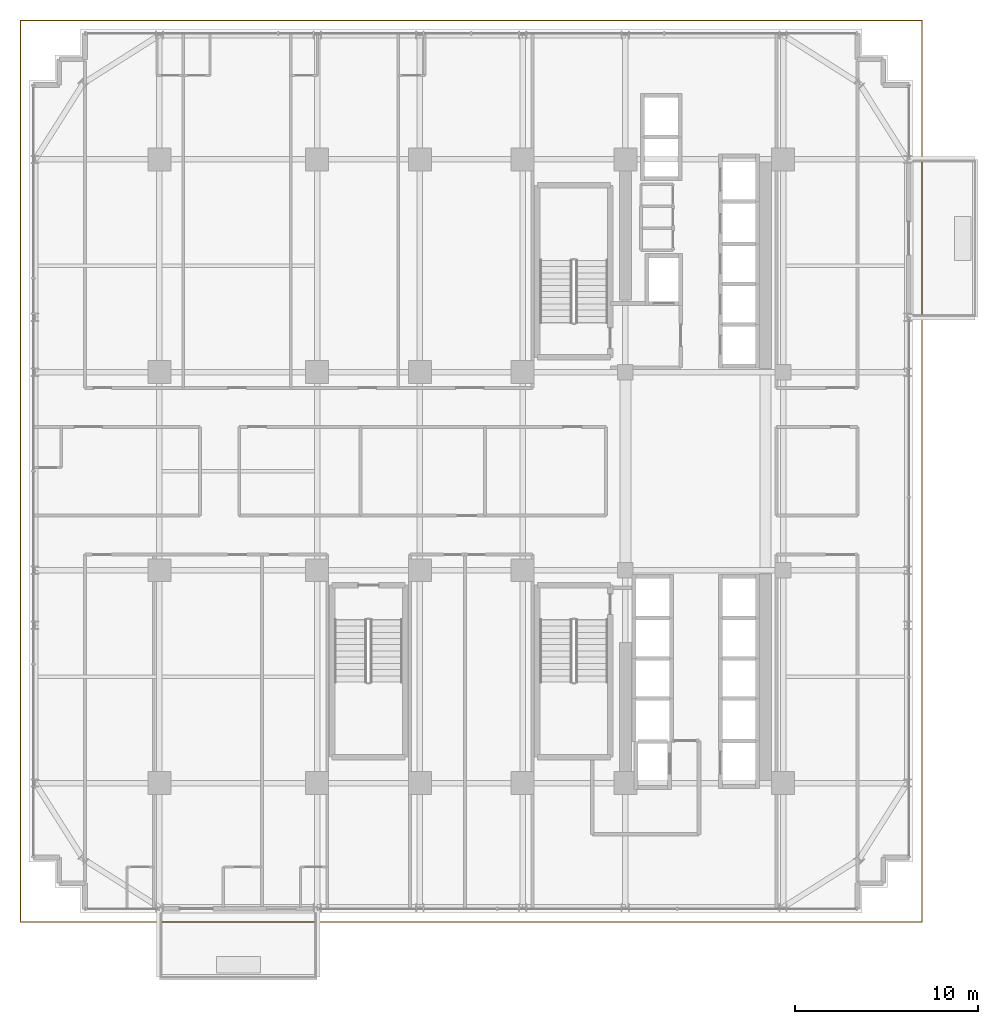
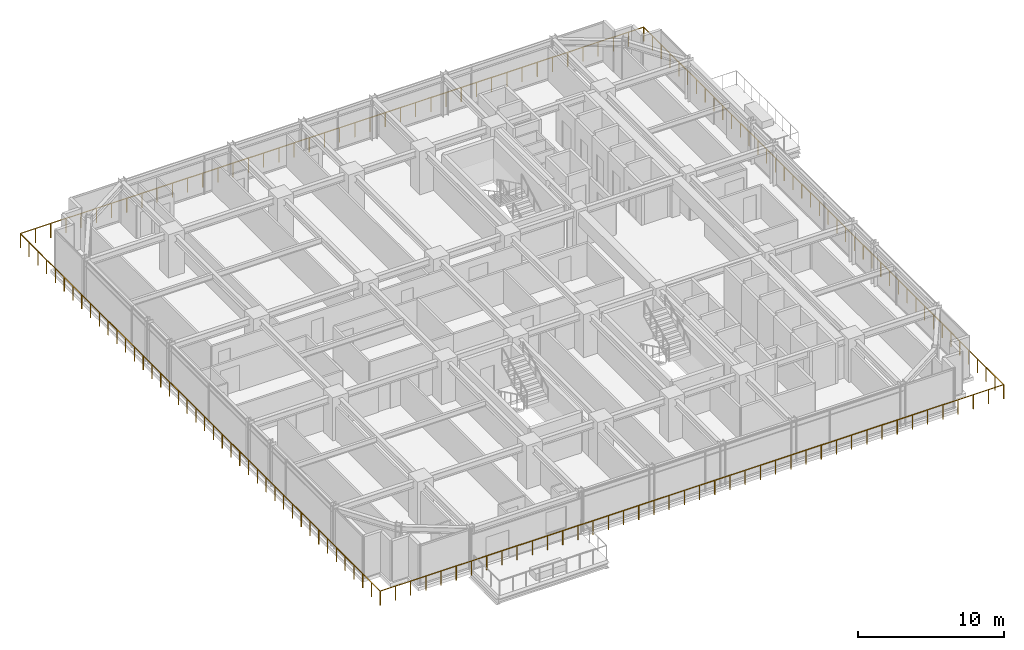
# One storey, part 32 of 34: 2 railings.
"""IFC4 building model written with IfcOpenShell, lengths in metres."""

from ifc_helpers import new_model, si_unit, direction, frame, origin, origin_2d, place, context, subcontext, project, spatial, circle, extrude, material, type_object, element, save


model = new_model("IFC4")

# Units and contexts
model_context = context("Model", 3, precision=1e-05, world=origin(), true_north=direction((0.0, 1.0)))
body_context = subcontext(model_context, "Body", "Model", "MODEL_VIEW")
ifc_project = project(units=[si_unit("LENGTHUNIT", "METRE"), si_unit("AREAUNIT", "SQUARE_METRE"), si_unit("VOLUMEUNIT", "CUBIC_METRE"), si_unit("PLANEANGLEUNIT", "RADIAN"), si_unit("MASSUNIT", "GRAM", prefix="KILO")], contexts=[model_context])

# Site, building, storey
site_placement = place(None, origin())
site = spatial("IfcSite", under=ifc_project, at=site_placement, CompositionType="ELEMENT")
building_placement = place(site_placement, origin())
building = spatial("IfcBuilding", under=site, at=building_placement, Name="Nahalor Promenade Grand Hotel", CompositionType="ELEMENT")
storey_placement = place(building_placement, frame((0.0, 0.0, 88.300048828125)))
storey = spatial("IfcBuildingStorey", under=building, at=storey_placement, Name="L21", CompositionType="ELEMENT", Elevation=88.300048828125)

# Railings
ifc_material = material(Name="Anodised Bronze Aluminium EN AW-6063 T6", Category="aluminium")
railing_type = type_object("IfcRailingType", Name="Bronze Balcony Guardrail 1200 mm", PredefinedType="GUARDRAIL", material=ifc_material)
railing_1_placement = place(storey_placement, frame((-24.580078125, 24.580078125, 0.0)))
element("IfcRailing", 1, at=railing_1_placement, inside=storey, type_object=railing_type, Name="RL-L21-SB1", PredefinedType="GUARDRAIL", context=body_context, shape_type="SweptSolid", body=[
    extrude(circle(Radius=0.024048, at=origin_2d()), frame((0.0, 0.0, 1.17578125), z_axis=(0.0, -1.0, 0.0), x_axis=(1.0, 0.0, 0.0)), (0.0, 0.0, 1.0), 49.158203125),
    extrude(circle(Radius=0.024048, at=origin_2d()), frame((0.001953125, -49.16015625, 1.17578125), z_axis=(1.0, 0.0, 0.0), x_axis=(0.0, 1.0, 0.0)), (0.0, 0.0, 1.0), 49.158203125),
    extrude(circle(Radius=0.020996, at=origin_2d()), origin(), (0.0, 0.0, 1.0), 1.14990234375),
    extrude(circle(Radius=0.020996, at=origin_2d()), frame((0.0, -1.198974609375, 0.0)), (0.0, 0.0, 1.0), 1.14990234375),
    extrude(circle(Radius=0.020996, at=origin_2d()), frame((0.0, -2.39794921875, 0.0)), (0.0, 0.0, 1.0), 1.14990234375),
    extrude(circle(Radius=0.020996, at=origin_2d()), frame((0.0, -3.59716796875, 0.0)), (0.0, 0.0, 1.0), 1.14990234375),
    extrude(circle(Radius=0.020996, at=origin_2d()), frame((0.0, -4.796142578125, 0.0)), (0.0, 0.0, 1.0), 1.14990234375),
    extrude(circle(Radius=0.020996, at=origin_2d()), frame((0.0, -5.9951171875, 0.0)), (0.0, 0.0, 1.0), 1.14990234375),
    extrude(circle(Radius=0.020996, at=origin_2d()), frame((0.0, -7.194091796875, 0.0)), (0.0, 0.0, 1.0), 1.14990234375),
    extrude(circle(Radius=0.020996, at=origin_2d()), frame((0.0, -8.393310546875, 0.0)), (0.0, 0.0, 1.0), 1.14990234375),
    extrude(circle(Radius=0.020996, at=origin_2d()), frame((0.0, -9.59228515625, 0.0)), (0.0, 0.0, 1.0), 1.14990234375),
    extrude(circle(Radius=0.020996, at=origin_2d()), frame((0.0, -10.791259765625, 0.0)), (0.0, 0.0, 1.0), 1.14990234375),
    extrude(circle(Radius=0.020996, at=origin_2d()), frame((0.0, -11.990234375, 0.0)), (0.0, 0.0, 1.0), 1.14990234375),
    extrude(circle(Radius=0.020996, at=origin_2d()), frame((0.0, -13.189208984375, 0.0)), (0.0, 0.0, 1.0), 1.14990234375),
    extrude(circle(Radius=0.020996, at=origin_2d()), frame((0.0, -14.388427734375, 0.0)), (0.0, 0.0, 1.0), 1.14990234375),
    extrude(circle(Radius=0.020996, at=origin_2d()), frame((0.0, -15.58740234375, 0.0)), (0.0, 0.0, 1.0), 1.14990234375),
    extrude(circle(Radius=0.020996, at=origin_2d()), frame((0.0, -16.786376953125, 0.0)), (0.0, 0.0, 1.0), 1.14990234375),
    extrude(circle(Radius=0.020996, at=origin_2d()), frame((0.0, -17.9853515625, 0.0)), (0.0, 0.0, 1.0), 1.14990234375),
    extrude(circle(Radius=0.020996, at=origin_2d()), frame((0.0, -19.1845703125, 0.0)), (0.0, 0.0, 1.0), 1.14990234375),
    extrude(circle(Radius=0.020996, at=origin_2d()), frame((0.0, -20.383544921875, 0.0)), (0.0, 0.0, 1.0), 1.14990234375),
    extrude(circle(Radius=0.020996, at=origin_2d()), frame((0.0, -21.58251953125, 0.0)), (0.0, 0.0, 1.0), 1.14990234375),
    extrude(circle(Radius=0.020996, at=origin_2d()), frame((0.0, -22.781494140625, 0.0)), (0.0, 0.0, 1.0), 1.14990234375),
    extrude(circle(Radius=0.020996, at=origin_2d()), frame((0.0, -23.98046875, 0.0)), (0.0, 0.0, 1.0), 1.14990234375),
    extrude(circle(Radius=0.020996, at=origin_2d()), frame((0.0, -25.1796875, 0.0)), (0.0, 0.0, 1.0), 1.14990234375),
    extrude(circle(Radius=0.020996, at=origin_2d()), frame((0.0, -26.378662109375, 0.0)), (0.0, 0.0, 1.0), 1.14990234375),
    extrude(circle(Radius=0.020996, at=origin_2d()), frame((0.0, -27.57763671875, 0.0)), (0.0, 0.0, 1.0), 1.14990234375),
    extrude(circle(Radius=0.020996, at=origin_2d()), frame((0.0, -28.776611328125, 0.0)), (0.0, 0.0, 1.0), 1.14990234375),
    extrude(circle(Radius=0.020996, at=origin_2d()), frame((0.0, -29.9755859375, 0.0)), (0.0, 0.0, 1.0), 1.14990234375),
    extrude(circle(Radius=0.020996, at=origin_2d()), frame((0.0, -31.1748046875, 0.0)), (0.0, 0.0, 1.0), 1.14990234375),
    extrude(circle(Radius=0.020996, at=origin_2d()), frame((0.0, -32.373779296875, 0.0)), (0.0, 0.0, 1.0), 1.14990234375),
    extrude(circle(Radius=0.020996, at=origin_2d()), frame((0.0, -33.57275390625, 0.0)), (0.0, 0.0, 1.0), 1.14990234375),
    extrude(circle(Radius=0.020996, at=origin_2d()), frame((0.0, -34.771728515625, 0.0)), (0.0, 0.0, 1.0), 1.14990234375),
    extrude(circle(Radius=0.020996, at=origin_2d()), frame((0.0, -35.970947265625, 0.0)), (0.0, 0.0, 1.0), 1.14990234375),
    extrude(circle(Radius=0.020996, at=origin_2d()), frame((0.0, -37.169921875, 0.0)), (0.0, 0.0, 1.0), 1.14990234375),
    extrude(circle(Radius=0.020996, at=origin_2d()), frame((0.0, -38.368896484375, 0.0)), (0.0, 0.0, 1.0), 1.14990234375),
    extrude(circle(Radius=0.020996, at=origin_2d()), frame((0.0, -39.56787109375, 0.0)), (0.0, 0.0, 1.0), 1.14990234375),
    extrude(circle(Radius=0.020996, at=origin_2d()), frame((0.0, -40.766845703125, 0.0)), (0.0, 0.0, 1.0), 1.14990234375),
    extrude(circle(Radius=0.020996, at=origin_2d()), frame((0.0, -41.966064453125, 0.0)), (0.0, 0.0, 1.0), 1.14990234375),
    extrude(circle(Radius=0.020996, at=origin_2d()), frame((0.0, -43.1650390625, 0.0)), (0.0, 0.0, 1.0), 1.14990234375),
    extrude(circle(Radius=0.020996, at=origin_2d()), frame((0.0, -44.364013671875, 0.0)), (0.0, 0.0, 1.0), 1.14990234375),
    extrude(circle(Radius=0.020996, at=origin_2d()), frame((0.0, -45.56298828125, 0.0)), (0.0, 0.0, 1.0), 1.14990234375),
    extrude(circle(Radius=0.020996, at=origin_2d()), frame((0.0, -46.76220703125, 0.0)), (0.0, 0.0, 1.0), 1.14990234375),
    extrude(circle(Radius=0.020996, at=origin_2d()), frame((0.0, -47.961181640625, 0.0)), (0.0, 0.0, 1.0), 1.14990234375),
    extrude(circle(Radius=0.020996, at=origin_2d()), frame((0.0, -49.16015625, 0.0)), (0.0, 0.0, 1.0), 1.14990234375),
    extrude(circle(Radius=0.020996, at=origin_2d()), frame((1.198974609375, -49.16015625, 0.0)), (0.0, 0.0, 1.0), 1.14990234375),
    extrude(circle(Radius=0.020996, at=origin_2d()), frame((2.39794921875, -49.16015625, 0.0)), (0.0, 0.0, 1.0), 1.14990234375),
    extrude(circle(Radius=0.020996, at=origin_2d()), frame((3.59716796875, -49.16015625, 0.0)), (0.0, 0.0, 1.0), 1.14990234375),
    extrude(circle(Radius=0.020996, at=origin_2d()), frame((4.796142578125, -49.16015625, 0.0)), (0.0, 0.0, 1.0), 1.14990234375),
    extrude(circle(Radius=0.020996, at=origin_2d()), frame((5.9951171875, -49.16015625, 0.0)), (0.0, 0.0, 1.0), 1.14990234375),
    extrude(circle(Radius=0.020996, at=origin_2d()), frame((7.194091796875, -49.16015625, 0.0)), (0.0, 0.0, 1.0), 1.14990234375),
    extrude(circle(Radius=0.020996, at=origin_2d()), frame((8.393310546875, -49.16015625, 0.0)), (0.0, 0.0, 1.0), 1.14990234375),
    extrude(circle(Radius=0.020996, at=origin_2d()), frame((9.59228515625, -49.16015625, 0.0)), (0.0, 0.0, 1.0), 1.14990234375),
    extrude(circle(Radius=0.020996, at=origin_2d()), frame((10.791259765625, -49.16015625, 0.0)), (0.0, 0.0, 1.0), 1.14990234375),
    extrude(circle(Radius=0.020996, at=origin_2d()), frame((11.990234375, -49.16015625, 0.0)), (0.0, 0.0, 1.0), 1.14990234375),
    extrude(circle(Radius=0.020996, at=origin_2d()), frame((13.189208984375, -49.16015625, 0.0)), (0.0, 0.0, 1.0), 1.14990234375),
    extrude(circle(Radius=0.020996, at=origin_2d()), frame((14.388427734375, -49.16015625, 0.0)), (0.0, 0.0, 1.0), 1.14990234375),
    extrude(circle(Radius=0.020996, at=origin_2d()), frame((15.58740234375, -49.16015625, 0.0)), (0.0, 0.0, 1.0), 1.14990234375),
    extrude(circle(Radius=0.020996, at=origin_2d()), frame((16.786376953125, -49.16015625, 0.0)), (0.0, 0.0, 1.0), 1.14990234375),
    extrude(circle(Radius=0.020996, at=origin_2d()), frame((17.9853515625, -49.16015625, 0.0)), (0.0, 0.0, 1.0), 1.14990234375),
    extrude(circle(Radius=0.020996, at=origin_2d()), frame((19.1845703125, -49.16015625, 0.0)), (0.0, 0.0, 1.0), 1.14990234375),
    extrude(circle(Radius=0.020996, at=origin_2d()), frame((20.383544921875, -49.16015625, 0.0)), (0.0, 0.0, 1.0), 1.14990234375),
    extrude(circle(Radius=0.020996, at=origin_2d()), frame((21.58251953125, -49.16015625, 0.0)), (0.0, 0.0, 1.0), 1.14990234375),
    extrude(circle(Radius=0.020996, at=origin_2d()), frame((22.781494140625, -49.16015625, 0.0)), (0.0, 0.0, 1.0), 1.14990234375),
    extrude(circle(Radius=0.020996, at=origin_2d()), frame((23.98046875, -49.16015625, 0.0)), (0.0, 0.0, 1.0), 1.14990234375),
    extrude(circle(Radius=0.020996, at=origin_2d()), frame((25.1796875, -49.16015625, 0.0)), (0.0, 0.0, 1.0), 1.14990234375),
    extrude(circle(Radius=0.020996, at=origin_2d()), frame((26.378662109375, -49.16015625, 0.0)), (0.0, 0.0, 1.0), 1.14990234375),
    extrude(circle(Radius=0.020996, at=origin_2d()), frame((27.57763671875, -49.16015625, 0.0)), (0.0, 0.0, 1.0), 1.14990234375),
    extrude(circle(Radius=0.020996, at=origin_2d()), frame((28.776611328125, -49.16015625, 0.0)), (0.0, 0.0, 1.0), 1.14990234375),
    extrude(circle(Radius=0.020996, at=origin_2d()), frame((29.9755859375, -49.16015625, 0.0)), (0.0, 0.0, 1.0), 1.14990234375),
    extrude(circle(Radius=0.020996, at=origin_2d()), frame((31.1748046875, -49.16015625, 0.0)), (0.0, 0.0, 1.0), 1.14990234375),
    extrude(circle(Radius=0.020996, at=origin_2d()), frame((32.373779296875, -49.16015625, 0.0)), (0.0, 0.0, 1.0), 1.14990234375),
    extrude(circle(Radius=0.020996, at=origin_2d()), frame((33.57275390625, -49.16015625, 0.0)), (0.0, 0.0, 1.0), 1.14990234375),
    extrude(circle(Radius=0.020996, at=origin_2d()), frame((34.771728515625, -49.16015625, 0.0)), (0.0, 0.0, 1.0), 1.14990234375),
    extrude(circle(Radius=0.020996, at=origin_2d()), frame((35.970947265625, -49.16015625, 0.0)), (0.0, 0.0, 1.0), 1.14990234375),
    extrude(circle(Radius=0.020996, at=origin_2d()), frame((37.169921875, -49.16015625, 0.0)), (0.0, 0.0, 1.0), 1.14990234375),
    extrude(circle(Radius=0.020996, at=origin_2d()), frame((38.368896484375, -49.16015625, 0.0)), (0.0, 0.0, 1.0), 1.14990234375),
    extrude(circle(Radius=0.020996, at=origin_2d()), frame((39.56787109375, -49.16015625, 0.0)), (0.0, 0.0, 1.0), 1.14990234375),
    extrude(circle(Radius=0.020996, at=origin_2d()), frame((40.766845703125, -49.16015625, 0.0)), (0.0, 0.0, 1.0), 1.14990234375),
    extrude(circle(Radius=0.020996, at=origin_2d()), frame((41.966064453125, -49.16015625, 0.0)), (0.0, 0.0, 1.0), 1.14990234375),
    extrude(circle(Radius=0.020996, at=origin_2d()), frame((43.1650390625, -49.16015625, 0.0)), (0.0, 0.0, 1.0), 1.14990234375),
    extrude(circle(Radius=0.020996, at=origin_2d()), frame((44.364013671875, -49.16015625, 0.0)), (0.0, 0.0, 1.0), 1.14990234375),
    extrude(circle(Radius=0.020996, at=origin_2d()), frame((45.56298828125, -49.16015625, 0.0)), (0.0, 0.0, 1.0), 1.14990234375),
    extrude(circle(Radius=0.020996, at=origin_2d()), frame((46.76220703125, -49.16015625, 0.0)), (0.0, 0.0, 1.0), 1.14990234375),
    extrude(circle(Radius=0.020996, at=origin_2d()), frame((47.961181640625, -49.16015625, 0.0)), (0.0, 0.0, 1.0), 1.14990234375),
    extrude(circle(Radius=0.020996, at=origin_2d()), frame((49.16015625, -49.16015625, 0.0)), (0.0, 0.0, 1.0), 1.14990234375),
])
railing_2_placement = place(storey_placement, frame((24.580078125, -24.580078125, 0.0)))
element("IfcRailing", 2, at=railing_2_placement, inside=storey, type_object=railing_type, Name="RL-L21-SB2", PredefinedType="GUARDRAIL", context=body_context, shape_type="SweptSolid", body=[
    extrude(circle(Radius=0.024048, at=origin_2d()), frame((0.0, 0.0, 1.17578125), z_axis=(0.0, 1.0, 0.0), x_axis=(-1.0, 0.0, 0.0)), (0.0, 0.0, 1.0), 49.158203125),
    extrude(circle(Radius=0.024048, at=origin_2d()), frame((-0.001953125, 49.16015625, 1.17578125), z_axis=(-1.0, 0.0, 0.0), x_axis=(0.0, -1.0, 0.0)), (0.0, 0.0, 1.0), 49.158203125),
    extrude(circle(Radius=0.020996, at=origin_2d()), origin(), (0.0, 0.0, 1.0), 1.14990234375),
    extrude(circle(Radius=0.020996, at=origin_2d()), frame((0.0, 1.198974609375, 0.0)), (0.0, 0.0, 1.0), 1.14990234375),
    extrude(circle(Radius=0.020996, at=origin_2d()), frame((0.0, 2.39794921875, 0.0)), (0.0, 0.0, 1.0), 1.14990234375),
    extrude(circle(Radius=0.020996, at=origin_2d()), frame((0.0, 3.59716796875, 0.0)), (0.0, 0.0, 1.0), 1.14990234375),
    extrude(circle(Radius=0.020996, at=origin_2d()), frame((0.0, 4.796142578125, 0.0)), (0.0, 0.0, 1.0), 1.14990234375),
    extrude(circle(Radius=0.020996, at=origin_2d()), frame((0.0, 5.9951171875, 0.0)), (0.0, 0.0, 1.0), 1.14990234375),
    extrude(circle(Radius=0.020996, at=origin_2d()), frame((0.0, 7.194091796875, 0.0)), (0.0, 0.0, 1.0), 1.14990234375),
    extrude(circle(Radius=0.020996, at=origin_2d()), frame((0.0, 8.393310546875, 0.0)), (0.0, 0.0, 1.0), 1.14990234375),
    extrude(circle(Radius=0.020996, at=origin_2d()), frame((0.0, 9.59228515625, 0.0)), (0.0, 0.0, 1.0), 1.14990234375),
    extrude(circle(Radius=0.020996, at=origin_2d()), frame((0.0, 10.791259765625, 0.0)), (0.0, 0.0, 1.0), 1.14990234375),
    extrude(circle(Radius=0.020996, at=origin_2d()), frame((0.0, 11.990234375, 0.0)), (0.0, 0.0, 1.0), 1.14990234375),
    extrude(circle(Radius=0.020996, at=origin_2d()), frame((0.0, 13.189208984375, 0.0)), (0.0, 0.0, 1.0), 1.14990234375),
    extrude(circle(Radius=0.020996, at=origin_2d()), frame((0.0, 14.388427734375, 0.0)), (0.0, 0.0, 1.0), 1.14990234375),
    extrude(circle(Radius=0.020996, at=origin_2d()), frame((0.0, 15.58740234375, 0.0)), (0.0, 0.0, 1.0), 1.14990234375),
    extrude(circle(Radius=0.020996, at=origin_2d()), frame((0.0, 16.786376953125, 0.0)), (0.0, 0.0, 1.0), 1.14990234375),
    extrude(circle(Radius=0.020996, at=origin_2d()), frame((0.0, 17.9853515625, 0.0)), (0.0, 0.0, 1.0), 1.14990234375),
    extrude(circle(Radius=0.020996, at=origin_2d()), frame((0.0, 19.1845703125, 0.0)), (0.0, 0.0, 1.0), 1.14990234375),
    extrude(circle(Radius=0.020996, at=origin_2d()), frame((0.0, 20.383544921875, 0.0)), (0.0, 0.0, 1.0), 1.14990234375),
    extrude(circle(Radius=0.020996, at=origin_2d()), frame((0.0, 21.58251953125, 0.0)), (0.0, 0.0, 1.0), 1.14990234375),
    extrude(circle(Radius=0.020996, at=origin_2d()), frame((0.0, 22.781494140625, 0.0)), (0.0, 0.0, 1.0), 1.14990234375),
    extrude(circle(Radius=0.020996, at=origin_2d()), frame((0.0, 23.98046875, 0.0)), (0.0, 0.0, 1.0), 1.14990234375),
    extrude(circle(Radius=0.020996, at=origin_2d()), frame((0.0, 25.1796875, 0.0)), (0.0, 0.0, 1.0), 1.14990234375),
    extrude(circle(Radius=0.020996, at=origin_2d()), frame((0.0, 26.378662109375, 0.0)), (0.0, 0.0, 1.0), 1.14990234375),
    extrude(circle(Radius=0.020996, at=origin_2d()), frame((0.0, 27.57763671875, 0.0)), (0.0, 0.0, 1.0), 1.14990234375),
    extrude(circle(Radius=0.020996, at=origin_2d()), frame((0.0, 28.776611328125, 0.0)), (0.0, 0.0, 1.0), 1.14990234375),
    extrude(circle(Radius=0.020996, at=origin_2d()), frame((0.0, 29.9755859375, 0.0)), (0.0, 0.0, 1.0), 1.14990234375),
    extrude(circle(Radius=0.020996, at=origin_2d()), frame((0.0, 31.1748046875, 0.0)), (0.0, 0.0, 1.0), 1.14990234375),
    extrude(circle(Radius=0.020996, at=origin_2d()), frame((0.0, 32.373779296875, 0.0)), (0.0, 0.0, 1.0), 1.14990234375),
    extrude(circle(Radius=0.020996, at=origin_2d()), frame((0.0, 33.57275390625, 0.0)), (0.0, 0.0, 1.0), 1.14990234375),
    extrude(circle(Radius=0.020996, at=origin_2d()), frame((0.0, 34.771728515625, 0.0)), (0.0, 0.0, 1.0), 1.14990234375),
    extrude(circle(Radius=0.020996, at=origin_2d()), frame((0.0, 35.970947265625, 0.0)), (0.0, 0.0, 1.0), 1.14990234375),
    extrude(circle(Radius=0.020996, at=origin_2d()), frame((0.0, 37.169921875, 0.0)), (0.0, 0.0, 1.0), 1.14990234375),
    extrude(circle(Radius=0.020996, at=origin_2d()), frame((0.0, 38.368896484375, 0.0)), (0.0, 0.0, 1.0), 1.14990234375),
    extrude(circle(Radius=0.020996, at=origin_2d()), frame((0.0, 39.56787109375, 0.0)), (0.0, 0.0, 1.0), 1.14990234375),
    extrude(circle(Radius=0.020996, at=origin_2d()), frame((0.0, 40.766845703125, 0.0)), (0.0, 0.0, 1.0), 1.14990234375),
    extrude(circle(Radius=0.020996, at=origin_2d()), frame((0.0, 41.966064453125, 0.0)), (0.0, 0.0, 1.0), 1.14990234375),
    extrude(circle(Radius=0.020996, at=origin_2d()), frame((0.0, 43.1650390625, 0.0)), (0.0, 0.0, 1.0), 1.14990234375),
    extrude(circle(Radius=0.020996, at=origin_2d()), frame((0.0, 44.364013671875, 0.0)), (0.0, 0.0, 1.0), 1.14990234375),
    extrude(circle(Radius=0.020996, at=origin_2d()), frame((0.0, 45.56298828125, 0.0)), (0.0, 0.0, 1.0), 1.14990234375),
    extrude(circle(Radius=0.020996, at=origin_2d()), frame((0.0, 46.76220703125, 0.0)), (0.0, 0.0, 1.0), 1.14990234375),
    extrude(circle(Radius=0.020996, at=origin_2d()), frame((0.0, 47.961181640625, 0.0)), (0.0, 0.0, 1.0), 1.14990234375),
    extrude(circle(Radius=0.020996, at=origin_2d()), frame((0.0, 49.16015625, 0.0)), (0.0, 0.0, 1.0), 1.14990234375),
    extrude(circle(Radius=0.020996, at=origin_2d()), frame((-1.198974609375, 49.16015625, 0.0)), (0.0, 0.0, 1.0), 1.14990234375),
    extrude(circle(Radius=0.020996, at=origin_2d()), frame((-2.39794921875, 49.16015625, 0.0)), (0.0, 0.0, 1.0), 1.14990234375),
    extrude(circle(Radius=0.020996, at=origin_2d()), frame((-3.59716796875, 49.16015625, 0.0)), (0.0, 0.0, 1.0), 1.14990234375),
    extrude(circle(Radius=0.020996, at=origin_2d()), frame((-4.796142578125, 49.16015625, 0.0)), (0.0, 0.0, 1.0), 1.14990234375),
    extrude(circle(Radius=0.020996, at=origin_2d()), frame((-5.9951171875, 49.16015625, 0.0)), (0.0, 0.0, 1.0), 1.14990234375),
    extrude(circle(Radius=0.020996, at=origin_2d()), frame((-7.194091796875, 49.16015625, 0.0)), (0.0, 0.0, 1.0), 1.14990234375),
    extrude(circle(Radius=0.020996, at=origin_2d()), frame((-8.393310546875, 49.16015625, 0.0)), (0.0, 0.0, 1.0), 1.14990234375),
    extrude(circle(Radius=0.020996, at=origin_2d()), frame((-9.59228515625, 49.16015625, 0.0)), (0.0, 0.0, 1.0), 1.14990234375),
    extrude(circle(Radius=0.020996, at=origin_2d()), frame((-10.791259765625, 49.16015625, 0.0)), (0.0, 0.0, 1.0), 1.14990234375),
    extrude(circle(Radius=0.020996, at=origin_2d()), frame((-11.990234375, 49.16015625, 0.0)), (0.0, 0.0, 1.0), 1.14990234375),
    extrude(circle(Radius=0.020996, at=origin_2d()), frame((-13.189208984375, 49.16015625, 0.0)), (0.0, 0.0, 1.0), 1.14990234375),
    extrude(circle(Radius=0.020996, at=origin_2d()), frame((-14.388427734375, 49.16015625, 0.0)), (0.0, 0.0, 1.0), 1.14990234375),
    extrude(circle(Radius=0.020996, at=origin_2d()), frame((-15.58740234375, 49.16015625, 0.0)), (0.0, 0.0, 1.0), 1.14990234375),
    extrude(circle(Radius=0.020996, at=origin_2d()), frame((-16.786376953125, 49.16015625, 0.0)), (0.0, 0.0, 1.0), 1.14990234375),
    extrude(circle(Radius=0.020996, at=origin_2d()), frame((-17.9853515625, 49.16015625, 0.0)), (0.0, 0.0, 1.0), 1.14990234375),
    extrude(circle(Radius=0.020996, at=origin_2d()), frame((-19.1845703125, 49.16015625, 0.0)), (0.0, 0.0, 1.0), 1.14990234375),
    extrude(circle(Radius=0.020996, at=origin_2d()), frame((-20.383544921875, 49.16015625, 0.0)), (0.0, 0.0, 1.0), 1.14990234375),
    extrude(circle(Radius=0.020996, at=origin_2d()), frame((-21.58251953125, 49.16015625, 0.0)), (0.0, 0.0, 1.0), 1.14990234375),
    extrude(circle(Radius=0.020996, at=origin_2d()), frame((-22.781494140625, 49.16015625, 0.0)), (0.0, 0.0, 1.0), 1.14990234375),
    extrude(circle(Radius=0.020996, at=origin_2d()), frame((-23.98046875, 49.16015625, 0.0)), (0.0, 0.0, 1.0), 1.14990234375),
    extrude(circle(Radius=0.020996, at=origin_2d()), frame((-25.1796875, 49.16015625, 0.0)), (0.0, 0.0, 1.0), 1.14990234375),
    extrude(circle(Radius=0.020996, at=origin_2d()), frame((-26.378662109375, 49.16015625, 0.0)), (0.0, 0.0, 1.0), 1.14990234375),
    extrude(circle(Radius=0.020996, at=origin_2d()), frame((-27.57763671875, 49.16015625, 0.0)), (0.0, 0.0, 1.0), 1.14990234375),
    extrude(circle(Radius=0.020996, at=origin_2d()), frame((-28.776611328125, 49.16015625, 0.0)), (0.0, 0.0, 1.0), 1.14990234375),
    extrude(circle(Radius=0.020996, at=origin_2d()), frame((-29.9755859375, 49.16015625, 0.0)), (0.0, 0.0, 1.0), 1.14990234375),
    extrude(circle(Radius=0.020996, at=origin_2d()), frame((-31.1748046875, 49.16015625, 0.0)), (0.0, 0.0, 1.0), 1.14990234375),
    extrude(circle(Radius=0.020996, at=origin_2d()), frame((-32.373779296875, 49.16015625, 0.0)), (0.0, 0.0, 1.0), 1.14990234375),
    extrude(circle(Radius=0.020996, at=origin_2d()), frame((-33.57275390625, 49.16015625, 0.0)), (0.0, 0.0, 1.0), 1.14990234375),
    extrude(circle(Radius=0.020996, at=origin_2d()), frame((-34.771728515625, 49.16015625, 0.0)), (0.0, 0.0, 1.0), 1.14990234375),
    extrude(circle(Radius=0.020996, at=origin_2d()), frame((-35.970947265625, 49.16015625, 0.0)), (0.0, 0.0, 1.0), 1.14990234375),
    extrude(circle(Radius=0.020996, at=origin_2d()), frame((-37.169921875, 49.16015625, 0.0)), (0.0, 0.0, 1.0), 1.14990234375),
    extrude(circle(Radius=0.020996, at=origin_2d()), frame((-38.368896484375, 49.16015625, 0.0)), (0.0, 0.0, 1.0), 1.14990234375),
    extrude(circle(Radius=0.020996, at=origin_2d()), frame((-39.56787109375, 49.16015625, 0.0)), (0.0, 0.0, 1.0), 1.14990234375),
    extrude(circle(Radius=0.020996, at=origin_2d()), frame((-40.766845703125, 49.16015625, 0.0)), (0.0, 0.0, 1.0), 1.14990234375),
    extrude(circle(Radius=0.020996, at=origin_2d()), frame((-41.966064453125, 49.16015625, 0.0)), (0.0, 0.0, 1.0), 1.14990234375),
    extrude(circle(Radius=0.020996, at=origin_2d()), frame((-43.1650390625, 49.16015625, 0.0)), (0.0, 0.0, 1.0), 1.14990234375),
    extrude(circle(Radius=0.020996, at=origin_2d()), frame((-44.364013671875, 49.16015625, 0.0)), (0.0, 0.0, 1.0), 1.14990234375),
    extrude(circle(Radius=0.020996, at=origin_2d()), frame((-45.56298828125, 49.16015625, 0.0)), (0.0, 0.0, 1.0), 1.14990234375),
    extrude(circle(Radius=0.020996, at=origin_2d()), frame((-46.76220703125, 49.16015625, 0.0)), (0.0, 0.0, 1.0), 1.14990234375),
    extrude(circle(Radius=0.020996, at=origin_2d()), frame((-47.961181640625, 49.16015625, 0.0)), (0.0, 0.0, 1.0), 1.14990234375),
    extrude(circle(Radius=0.020996, at=origin_2d()), frame((-49.16015625, 49.16015625, 0.0)), (0.0, 0.0, 1.0), 1.14990234375),
])

save(model, "model.ifc")
